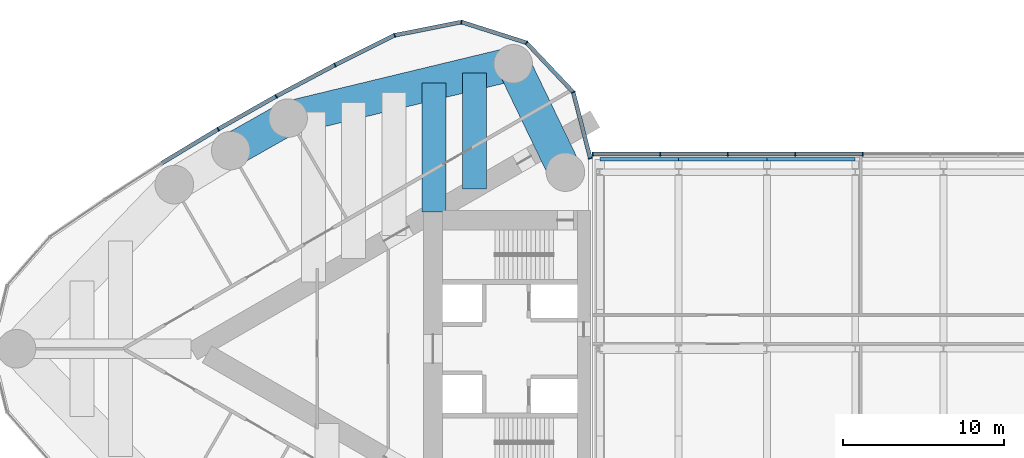
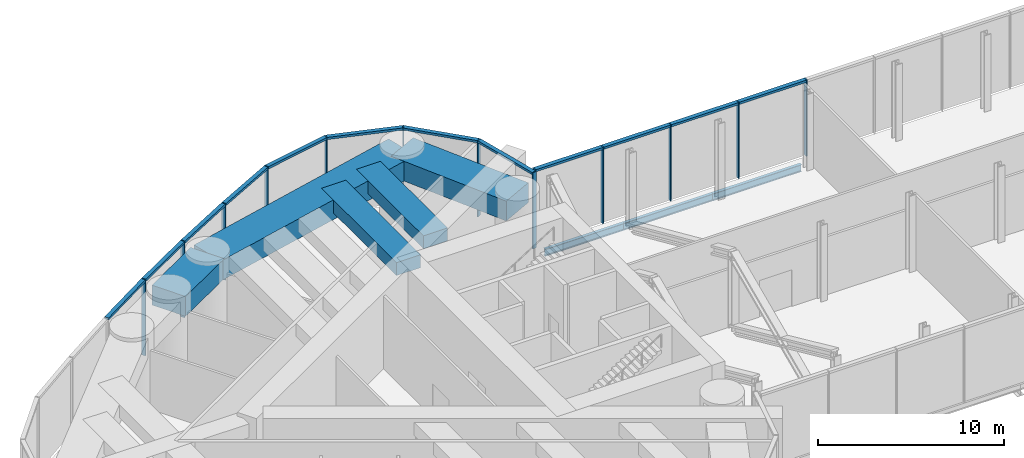
# One storey, part 6 of 19: 25 members, 8 beams, 2 elements without a shape of their own.
"""IFC4 building model written with IfcOpenShell, lengths in metres."""

from ifc_helpers import new_model, si_unit, direction, frame, origin, origin_2d, place, context, subcontext, project, spatial, rectangle, i_section, extrude, material, material_profile, profile_set, type_object, element, aggregate, save


model = new_model("IFC4")

# Units and contexts
model_context = context("Model", 3, precision=1e-05, world=origin(), true_north=direction((0.0, 1.0)))
body_context = subcontext(model_context, "Body", "Model", "MODEL_VIEW")
ifc_project = project(units=[si_unit("LENGTHUNIT", "METRE"), si_unit("AREAUNIT", "SQUARE_METRE"), si_unit("VOLUMEUNIT", "CUBIC_METRE"), si_unit("PLANEANGLEUNIT", "RADIAN"), si_unit("MASSUNIT", "GRAM", prefix="KILO")], contexts=[model_context])

# Site, building, storey
site_placement = place(None, origin())
site = spatial("IfcSite", under=ifc_project, at=site_placement, CompositionType="ELEMENT")
building_placement = place(site_placement, origin())
building = spatial("IfcBuilding", under=site, at=building_placement, Name="Lancet Gate Hotel", CompositionType="ELEMENT")
storey_placement = place(building_placement, frame((0.0, 0.0, 263.300048828125)))
storey = spatial("IfcBuildingStorey", under=building, at=storey_placement, Name="L69", CompositionType="ELEMENT", Elevation=263.300048828125)

# Curtain wall, members
ifc_material_1 = material(Name="Aluminium curtain wall", Category="aluminium")
curtain_wall_type = type_object("IfcCurtainWallType", Name="Lantern crown glazing", PredefinedType="USERDEFINED", material=ifc_material_1)
curtain_wall_1_placement = place(storey_placement, origin())
curtain_wall_1 = element("IfcCurtainWall", 1, at=curtain_wall_1_placement, inside=storey, type_object=curtain_wall_type, Name="T1 L69 curtain wall 1", ObjectType="LANTERN GLAZING", PredefinedType="USERDEFINED")
ifc_material_2 = material(Name="Aluminium mullion", Category="aluminium")
ifc_material_profile_1 = material_profile(ifc_material_2, rectangle(XDim=0.06494140625, YDim=0.25, at=origin_2d()), Name="MULLION 65x250")
ifc_profile_set_1 = profile_set([ifc_material_profile_1], Name="Aluminium mullion")
member_type_1 = type_object("IfcMemberType", Name="Aluminium mullion 65x250", PredefinedType="MULLION", material=ifc_profile_set_1)
member_1_placement = place(storey_placement, frame((-27.5, 11.861572265625, 0.0), z_axis=(0.0, 0.0, 1.0), x_axis=(-0.249725827997, 0.968316586056, 0.0)))
member_1 = element("IfcMember", 2, at=member_1_placement, type_object=member_type_1, Name="T1 L69 curtain wall 1 mullion 1", PredefinedType="MULLION", context=body_context, shape_type="SweptSolid", body=[
    extrude(rectangle(XDim=0.06494140625, YDim=0.25, at=origin_2d()), origin(), (0.0, 0.0, 1.0), 5.0),
])
member_2_placement = place(storey_placement, frame((-28.56005859375, 15.97216796875, 0.0), z_axis=(0.0, 0.0, 1.0), x_axis=(-0.483627322447, 0.875274021654, 0.0)))
member_2 = element("IfcMember", 3, at=member_2_placement, type_object=member_type_1, Name="T1 L69 curtain wall 1 mullion 2", PredefinedType="MULLION", context=body_context, shape_type="SweptSolid", body=[
    extrude(rectangle(XDim=0.06494140625, YDim=0.25, at=origin_2d()), origin(), (0.0, 0.0, 1.0), 5.0),
])
member_3_placement = place(storey_placement, frame((-31.476318359375, 19.0576171875, 0.0), z_axis=(0.0, 0.0, 1.0), x_axis=(-0.846612863, 0.532209225966, 0.0)))
member_3 = element("IfcMember", 4, at=member_3_placement, type_object=member_type_1, Name="T1 L69 curtain wall 1 mullion 3", PredefinedType="MULLION", context=body_context, shape_type="SweptSolid", body=[
    extrude(rectangle(XDim=0.06494140625, YDim=0.25, at=origin_2d()), origin(), (0.0, 0.0, 1.0), 5.0),
])
member_4_placement = place(storey_placement, frame((-35.520751953125, 20.347900390625, 0.0), z_axis=(0.0, 0.0, 1.0), x_axis=(-0.998409168318, 0.056383797491, 0.0)))
member_4 = element("IfcMember", 5, at=member_4_placement, type_object=member_type_1, Name="T1 L69 curtain wall 1 mullion 4", PredefinedType="MULLION", context=body_context, shape_type="SweptSolid", body=[
    extrude(rectangle(XDim=0.06494140625, YDim=0.25, at=origin_2d()), origin(), (0.0, 0.0, 1.0), 5.0),
])
member_5_placement = place(storey_placement, frame((-39.684814453125, 19.521240234375, 0.0), z_axis=(0.0, 0.0, 1.0), x_axis=(-0.946887706423, -0.321564412561, 0.0)))
member_5 = element("IfcMember", 6, at=member_5_placement, type_object=member_type_1, Name="T1 L69 curtain wall 1 mullion 5", PredefinedType="MULLION", context=body_context, shape_type="SweptSolid", body=[
    extrude(rectangle(XDim=0.06494140625, YDim=0.25, at=origin_2d()), origin(), (0.0, 0.0, 1.0), 5.0),
])
member_6_placement = place(storey_placement, frame((-43.3994140625, 17.67236328125, 0.0), z_axis=(0.0, 0.0, 1.0), x_axis=(-0.889155526065, -0.457605125046, 0.0)))
member_6 = element("IfcMember", 7, at=member_6_placement, type_object=member_type_1, Name="T1 L69 curtain wall 1 mullion 6", PredefinedType="MULLION", context=body_context, shape_type="SweptSolid", body=[
    extrude(rectangle(XDim=0.06494140625, YDim=0.25, at=origin_2d()), origin(), (0.0, 0.0, 1.0), 5.0),
])
member_7_placement = place(storey_placement, frame((-47.062744140625, 15.72412109375, 0.0), z_axis=(0.0, 0.0, 1.0), x_axis=(-0.876516407283, -0.481371984815, 0.0)))
member_7 = element("IfcMember", 8, at=member_7_placement, type_object=member_type_1, Name="T1 L69 curtain wall 1 mullion 7", PredefinedType="MULLION", context=body_context, shape_type="SweptSolid", body=[
    extrude(rectangle(XDim=0.06494140625, YDim=0.25, at=origin_2d()), origin(), (0.0, 0.0, 1.0), 5.0),
])
member_8_placement = place(storey_placement, frame((-50.67236328125, 13.677978515625, 0.0), z_axis=(0.0, 0.0, 1.0), x_axis=(-0.863242155108, -0.504790037189, 0.0)))
member_8 = element("IfcMember", 9, at=member_8_placement, type_object=member_type_1, Name="T1 L69 curtain wall 1 mullion 8", PredefinedType="MULLION", context=body_context, shape_type="SweptSolid", body=[
    extrude(rectangle(XDim=0.06494140625, YDim=0.25, at=origin_2d()), origin(), (0.0, 0.0, 1.0), 5.0),
])

curtain_wall_2_placement = place(storey_placement, origin())
curtain_wall_2 = element("IfcCurtainWall", 10, at=curtain_wall_2_placement, inside=storey, type_object=curtain_wall_type, Name="Bridge block L69 curtain wall N", ObjectType="LANTERN GLAZING", PredefinedType="USERDEFINED")
member_9_placement = place(storey_placement, frame((-10.519287109375, 12.1201171875, 0.0), z_axis=(0.0, 0.0, 1.0), x_axis=(-1.0, 0.0, 0.0)))
member_9 = element("IfcMember", 11, at=member_9_placement, type_object=member_type_1, Name="Bridge block L69 curtain wall N mullion 10", PredefinedType="MULLION", context=body_context, shape_type="SweptSolid", body=[
    extrude(rectangle(XDim=0.06494140625, YDim=0.25, at=origin_2d()), origin(), (0.0, 0.0, 1.0), 5.0),
])
member_10_placement = place(storey_placement, frame((-14.726806640625, 12.1201171875, 0.0), z_axis=(0.0, 0.0, 1.0), x_axis=(-1.0, 0.0, 0.0)))
member_10 = element("IfcMember", 12, at=member_10_placement, type_object=member_type_1, Name="Bridge block L69 curtain wall N mullion 11", PredefinedType="MULLION", context=body_context, shape_type="SweptSolid", body=[
    extrude(rectangle(XDim=0.06494140625, YDim=0.25, at=origin_2d()), origin(), (0.0, 0.0, 1.0), 5.0),
])
member_11_placement = place(storey_placement, frame((-18.9345703125, 12.1201171875, 0.0), z_axis=(0.0, 0.0, 1.0), x_axis=(-1.0, 0.0, 0.0)))
member_11 = element("IfcMember", 13, at=member_11_placement, type_object=member_type_1, Name="Bridge block L69 curtain wall N mullion 12", PredefinedType="MULLION", context=body_context, shape_type="SweptSolid", body=[
    extrude(rectangle(XDim=0.06494140625, YDim=0.25, at=origin_2d()), origin(), (0.0, 0.0, 1.0), 5.0),
])
member_12_placement = place(storey_placement, frame((-23.142333984375, 12.1201171875, 0.0), z_axis=(0.0, 0.0, 1.0), x_axis=(-1.0, 0.0, 0.0)))
member_12 = element("IfcMember", 14, at=member_12_placement, type_object=member_type_1, Name="Bridge block L69 curtain wall N mullion 13", PredefinedType="MULLION", context=body_context, shape_type="SweptSolid", body=[
    extrude(rectangle(XDim=0.06494140625, YDim=0.25, at=origin_2d()), origin(), (0.0, 0.0, 1.0), 5.0),
])
member_13_placement = place(storey_placement, frame((-27.35009765625, 12.1201171875, 0.0), z_axis=(0.0, 0.0, 1.0), x_axis=(-1.0, 0.0, 0.0)))
member_13 = element("IfcMember", 15, at=member_13_placement, type_object=member_type_1, Name="Bridge block L69 curtain wall N mullion 14", PredefinedType="MULLION", context=body_context, shape_type="SweptSolid", body=[
    extrude(rectangle(XDim=0.06494140625, YDim=0.25, at=origin_2d()), origin(), (0.0, 0.0, 1.0), 5.0),
])

# Member
ifc_material_3 = material(Name="Aluminium transom", Category="aluminium")
ifc_material_profile_2 = material_profile(ifc_material_3, rectangle(XDim=0.25, YDim=0.14990234375, at=origin_2d()), Name="TRANSOM 250x150")
ifc_profile_set_2 = profile_set([ifc_material_profile_2], Name="Aluminium transom")
member_type_2 = type_object("IfcMemberType", Name="Aluminium transom 250x150", PredefinedType="USERDEFINED", material=ifc_profile_set_2)
member_14_placement = place(storey_placement, frame((-27.508056640625, 11.892822265625, 4.925048828125), z_axis=(-0.249715522936, 0.968319243641, 0.0), x_axis=(-0.968319243641, -0.249715522936, 0.0)))
member_14 = element("IfcMember", 16, at=member_14_placement, type_object=member_type_2, Name="T1 L69 curtain wall 1 transom 1", ObjectType="TRANSOM", PredefinedType="USERDEFINED", context=body_context, shape_type="SweptSolid", body=[
    extrude(rectangle(XDim=0.25, YDim=0.14990234375, at=origin_2d()), origin(), (0.0, 0.0, 1.0), 4.180419921875),
])

member_15_placement = place(storey_placement, frame((-28.58251953125, 15.995849609375, 4.925048828125), z_axis=(-0.686880731091, 0.726770157103, 0.0), x_axis=(-0.726770157103, -0.686880731091, 0.0)))
member_15 = element("IfcMember", 17, at=member_15_placement, type_object=member_type_2, Name="T1 L69 curtain wall 1 transom 2", ObjectType="TRANSOM", PredefinedType="USERDEFINED", context=body_context, shape_type="SweptSolid", body=[
    extrude(rectangle(XDim=0.25, YDim=0.14990234375, at=origin_2d()), origin(), (0.0, 0.0, 1.0), 4.18017578125),
])

member_16_placement = place(storey_placement, frame((-31.507080078125, 19.067626953125, 4.925048828125), z_axis=(-0.952697713775, 0.303919506068, 0.0), x_axis=(-0.303919506068, -0.952697713775, 0.0)))
member_16 = element("IfcMember", 18, at=member_16_placement, type_object=member_type_2, Name="T1 L69 curtain wall 1 transom 3", ObjectType="TRANSOM", PredefinedType="USERDEFINED", context=body_context, shape_type="SweptSolid", body=[
    extrude(rectangle(XDim=0.25, YDim=0.14990234375, at=origin_2d()), origin(), (0.0, 0.0, 1.0), 4.180419921875),
])

member_17_placement = place(storey_placement, frame((-35.552734375, 20.341552734375, 4.925048828125), z_axis=(-0.980858234867, -0.194723196085, 0.0), x_axis=(0.194723196085, -0.980858234867, 0.0)))
member_17 = element("IfcMember", 19, at=member_17_placement, type_object=member_type_2, Name="T1 L69 curtain wall 1 transom 4", ObjectType="TRANSOM", PredefinedType="USERDEFINED", context=body_context, shape_type="SweptSolid", body=[
    extrude(rectangle(XDim=0.25, YDim=0.14990234375, at=origin_2d()), origin(), (0.0, 0.0, 1.0), 4.18017578125),
])

member_18_placement = place(storey_placement, frame((-39.7138671875, 19.5068359375, 4.925048828125), z_axis=(-0.895226720479, -0.445610950202, 0.0), x_axis=(0.445610950202, -0.895226720479, 0.0)))
member_18 = element("IfcMember", 20, at=member_18_placement, type_object=member_type_2, Name="T1 L69 curtain wall 1 transom 5", ObjectType="TRANSOM", PredefinedType="USERDEFINED", context=body_context, shape_type="SweptSolid", body=[
    extrude(rectangle(XDim=0.25, YDim=0.14990234375, at=origin_2d()), origin(), (0.0, 0.0, 1.0), 4.08447265625),
])

member_19_placement = place(storey_placement, frame((-43.427978515625, 17.656982421875, 4.925048828125), z_axis=(-0.882944619844, -0.469477154171, 0.0), x_axis=(0.469477154171, -0.882944619844, 0.0)))
member_19 = element("IfcMember", 21, at=member_19_placement, type_object=member_type_2, Name="T1 L69 curtain wall 1 transom 6", ObjectType="TRANSOM", PredefinedType="USERDEFINED", context=body_context, shape_type="SweptSolid", body=[
    extrude(rectangle(XDim=0.25, YDim=0.14990234375, at=origin_2d()), origin(), (0.0, 0.0, 1.0), 4.084228515625),
])

member_20_placement = place(storey_placement, frame((-47.091064453125, 15.7080078125, 4.925048828125), z_axis=(-0.869977740049, -0.493090997503, 0.0), x_axis=(0.493090997503, -0.869977740049, 0.0)))
member_20 = element("IfcMember", 22, at=member_20_placement, type_object=member_type_2, Name="T1 L69 curtain wall 1 transom 7", ObjectType="TRANSOM", PredefinedType="USERDEFINED", context=body_context, shape_type="SweptSolid", body=[
    extrude(rectangle(XDim=0.25, YDim=0.14990234375, at=origin_2d()), origin(), (0.0, 0.0, 1.0), 4.084228515625),
])

member_21_placement = place(storey_placement, frame((-50.7001953125, 13.661376953125, 4.925048828125), z_axis=(-0.856362214892, -0.516375596737, 0.0), x_axis=(0.516375596737, -0.856362214892, 0.0)))
member_21 = element("IfcMember", 23, at=member_21_placement, type_object=member_type_2, Name="T1 L69 curtain wall 1 transom 8", ObjectType="TRANSOM", PredefinedType="USERDEFINED", context=body_context, shape_type="SweptSolid", body=[
    extrude(rectangle(XDim=0.25, YDim=0.14990234375, at=origin_2d()), origin(), (0.0, 0.0, 1.0), 4.08447265625),
])

aggregate(curtain_wall_1, [member_1, member_2, member_3, member_4, member_5, member_6, member_7, member_8, member_14, member_15, member_16, member_17, member_18, member_19, member_20, member_21])

member_22_placement = place(storey_placement, frame((-10.5517578125, 12.1201171875, 4.925048828125), z_axis=(-1.0, 0.0, 0.0), x_axis=(0.0, -1.0, 0.0)))
member_22 = element("IfcMember", 24, at=member_22_placement, type_object=member_type_2, Name="Bridge block L69 curtain wall N transom 10", ObjectType="TRANSOM", PredefinedType="USERDEFINED", context=body_context, shape_type="SweptSolid", body=[
    extrude(rectangle(XDim=0.25, YDim=0.14990234375, at=origin_2d()), origin(), (0.0, 0.0, 1.0), 4.142578125),
])

member_23_placement = place(storey_placement, frame((-14.759521484375, 12.1201171875, 4.925048828125), z_axis=(-1.0, 0.0, 0.0), x_axis=(0.0, -1.0, 0.0)))
member_23 = element("IfcMember", 25, at=member_23_placement, type_object=member_type_2, Name="Bridge block L69 curtain wall N transom 11", ObjectType="TRANSOM", PredefinedType="USERDEFINED", context=body_context, shape_type="SweptSolid", body=[
    extrude(rectangle(XDim=0.25, YDim=0.14990234375, at=origin_2d()), origin(), (0.0, 0.0, 1.0), 4.142578125),
])

member_24_placement = place(storey_placement, frame((-18.967041015625, 12.1201171875, 4.925048828125), z_axis=(-1.0, 0.0, 0.0), x_axis=(0.0, -1.0, 0.0)))
member_24 = element("IfcMember", 26, at=member_24_placement, type_object=member_type_2, Name="Bridge block L69 curtain wall N transom 12", ObjectType="TRANSOM", PredefinedType="USERDEFINED", context=body_context, shape_type="SweptSolid", body=[
    extrude(rectangle(XDim=0.25, YDim=0.14990234375, at=origin_2d()), origin(), (0.0, 0.0, 1.0), 4.142822265625),
])

member_25_placement = place(storey_placement, frame((-23.1748046875, 12.1201171875, 4.925048828125), z_axis=(-1.0, 0.0, 0.0), x_axis=(0.0, -1.0, 0.0)))
member_25 = element("IfcMember", 27, at=member_25_placement, type_object=member_type_2, Name="Bridge block L69 curtain wall N transom 13", ObjectType="TRANSOM", PredefinedType="USERDEFINED", context=body_context, shape_type="SweptSolid", body=[
    extrude(rectangle(XDim=0.25, YDim=0.14990234375, at=origin_2d()), origin(), (0.0, 0.0, 1.0), 4.142578125),
])

aggregate(curtain_wall_2, [member_9, member_10, member_11, member_12, member_13, member_22, member_23, member_24, member_25])

# Beams
ifc_material_4 = material(Name="Steel S355", Category="steel")
ifc_material_profile_3 = material_profile(ifc_material_4, i_section(OverallWidth=0.19140625, OverallDepth=0.4599609375, WebThickness=0.010009765625, FlangeThickness=0.01611328125, FilletRadius=0.01025390625, at=origin_2d()), Name="UKB 457x191x82")
ifc_profile_set_3 = profile_set([ifc_material_profile_3], Name="Steel S355")
beam_type_1 = type_object("IfcBeamType", Name="Block edge beam UKB 457x191x82", PredefinedType="SPANDREL", material=ifc_profile_set_3)
beam_1_placement = place(storey_placement, frame((-26.89990234375, 11.800048828125, -0.429931640625), z_axis=(1.0, 0.0, 0.0), x_axis=(0.0, 1.0, 0.0)))
element("IfcBeam", 28, at=beam_1_placement, inside=storey, type_object=beam_type_1, Name="Block edge beam N 0-1 L69", PredefinedType="SPANDREL", context=body_context, shape_type="SweptSolid", body=[
    extrude(i_section(OverallWidth=0.19140625, OverallDepth=0.4599609375, WebThickness=0.010009765625, FlangeThickness=0.01611328125, FilletRadius=0.01025390625, at=origin_2d()), origin(), (0.0, 0.0, 1.0), 4.89990234375),
])
for number, where, z_axis, x_axis, name in (
    (29, (-22.0, 11.800048828125, -0.429931640625), (1.0, 0.0, 0.0), (0.0, 1.0, 0.0), "Block edge beam N 1-2 L69"),
    (30, (-16.5, 11.800048828125, -0.429931640625), (1.0, 0.0, 0.0), (0.0, 1.0, 0.0), "Block edge beam N 2-3 L69"),
):
    element("IfcBeam", number, at=place(storey_placement, frame(where, z_axis=z_axis, x_axis=x_axis)), inside=storey, type_object=beam_type_1, Name=name, PredefinedType="SPANDREL", context=body_context, shape_type="SweptSolid", body=[
        extrude(i_section(OverallWidth=0.19140625, OverallDepth=0.4599609375, WebThickness=0.010009765625, FlangeThickness=0.01611328125, FilletRadius=0.01025390625, at=origin_2d()), origin(), (0.0, 0.0, 1.0), 5.5),
    ])
ifc_material_5 = material(Name="Concrete C50/60", Category="concrete")
ifc_material_profile_4 = material_profile(ifc_material_5, rectangle(XDim=2.10009765625, YDim=1.300048828125, at=origin_2d()), Name="RC 2100x1300")
ifc_profile_set_4 = profile_set([ifc_material_profile_4], Name="Concrete C50/60")
beam_type_2 = type_object("IfcBeamType", Name="Edge beam RC 2100x1300", PredefinedType="SPANDREL", material=ifc_profile_set_4)
beam_2_placement = place(storey_placement, frame((-32.301025390625, 17.745361328125, 4.099853515625), z_axis=(-0.972132796948, -0.234430853556, 0.0), x_axis=(0.234430853556, -0.972132796948, 0.0)))
element("IfcBeam", 31, at=beam_2_placement, inside=storey, type_object=beam_type_2, Name="T1 edge beam EB1 L69", PredefinedType="SPANDREL", context=body_context, shape_type="SweptSolid", body=[
    extrude(rectangle(XDim=2.10009765625, YDim=1.300048828125, at=origin_2d()), origin(), (0.0, 0.0, 1.0), 14.41748046875),
])
beam_3_placement = place(storey_placement, frame((-46.316650390625, 14.365478515625, 4.099853515625), z_axis=(-0.869978841992, -0.493089053301, 0.0), x_axis=(0.493089053301, -0.869978841992, 0.0)))
element("IfcBeam", 32, at=beam_3_placement, inside=storey, type_object=beam_type_2, Name="T1 edge beam EB1 L69", PredefinedType="SPANDREL", context=body_context, shape_type="SweptSolid", body=[
    extrude(rectangle(XDim=2.10009765625, YDim=1.300048828125, at=origin_2d()), origin(), (0.0, 0.0, 1.0), 4.107666015625),
])
beam_4_placement = place(storey_placement, frame((-32.301025390625, 17.745361328125, 4.099853515625), z_axis=(0.434163599361, -0.900834040759, 0.0), x_axis=(0.900834040759, 0.434163599361, 0.0)))
element("IfcBeam", 33, at=beam_4_placement, inside=storey, type_object=beam_type_2, Name="T1 edge beam EB1 L69", PredefinedType="SPANDREL", context=body_context, shape_type="SweptSolid", body=[
    extrude(rectangle(XDim=2.10009765625, YDim=1.300048828125, at=origin_2d()), origin(), (0.0, 0.0, 1.0), 7.48779296875),
])
ifc_material_6 = material(Name="Concrete C50/60", Category="concrete")
ifc_material_profile_5 = material_profile(ifc_material_6, rectangle(XDim=1.5, YDim=0.85009765625, at=origin_2d()), Name="RC 1500x850")
ifc_profile_set_5 = profile_set([ifc_material_profile_5], Name="Concrete C50/60")
beam_type_3 = type_object("IfcBeamType", Name="Floor beam RC 1500x850", PredefinedType="BEAM", material=ifc_profile_set_5)
beam_5_placement = place(storey_placement, frame((-34.720458984375, 17.161865234375, 4.324951171875), z_axis=(0.0, -1.0, 0.0), x_axis=(1.0, 0.0, 0.0)))
element("IfcBeam", 34, at=beam_5_placement, inside=storey, type_object=beam_type_3, Name="T1 floor beam F02S L69", PredefinedType="BEAM", context=body_context, shape_type="SweptSolid", body=[
    extrude(rectangle(XDim=1.5, YDim=0.85009765625, at=origin_2d()), origin(), (0.0, 0.0, 1.0), 7.203857421875),
])
beam_6_placement = place(storey_placement, frame((-37.227294921875, 16.557373046875, 4.324951171875), z_axis=(0.0, -1.0, 0.0), x_axis=(1.0, 0.0, 0.0)))
element("IfcBeam", 35, at=beam_6_placement, inside=storey, type_object=beam_type_3, Name="T1 floor beam F03S L69", PredefinedType="BEAM", context=body_context, shape_type="SweptSolid", body=[
    extrude(rectangle(XDim=1.5, YDim=0.85009765625, at=origin_2d()), origin(), (0.0, 0.0, 1.0), 8.046630859375),
])

save(model, "model.ifc")
